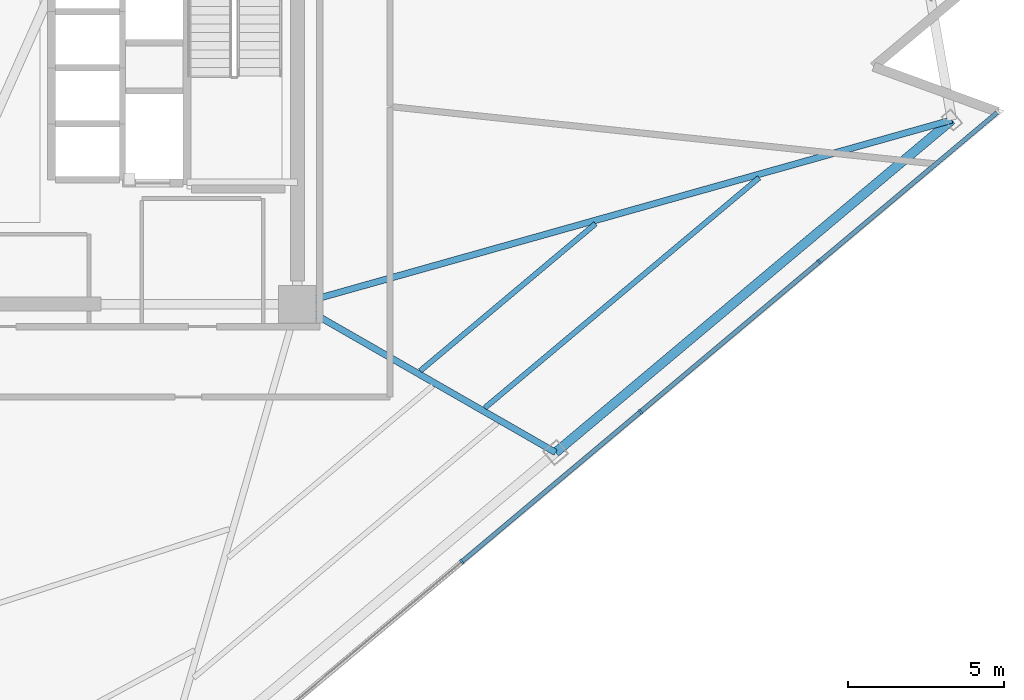
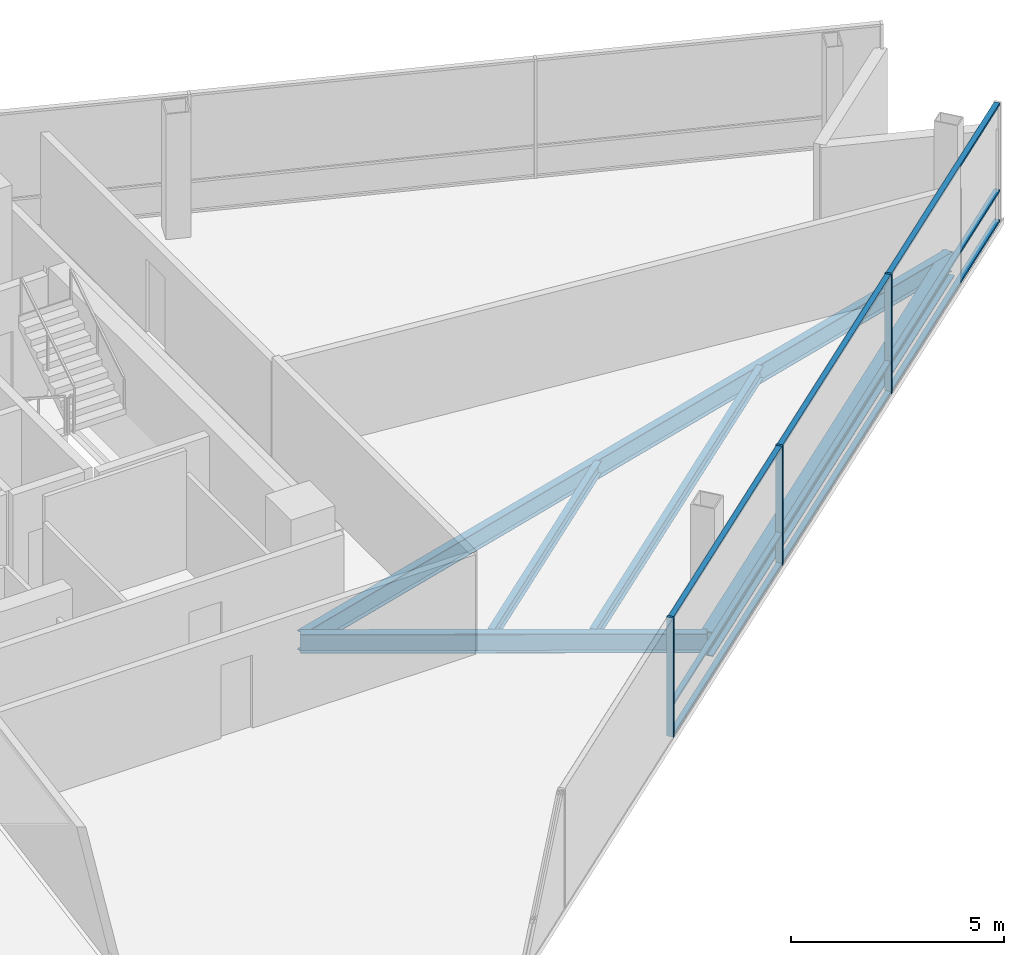
# One storey, part 4 of 17: 12 members, 5 beams, 1 element without a shape of its own.
"""IFC4 building model written with IfcOpenShell, lengths in metres."""

from ifc_helpers import new_model, si_unit, direction, frame, origin, origin_2d, place, context, subcontext, project, spatial, rectangle, i_section, extrude, material, layer, layer_set, material_profile, profile_set, type_object, element, aggregate, save


model = new_model("IFC4")

# Units and contexts
model_context = context("Model", 3, precision=1e-05, world=origin(), true_north=direction((0.0, 1.0)))
body_context = subcontext(model_context, "Body", "Model", "MODEL_VIEW")
ifc_project = project(units=[si_unit("LENGTHUNIT", "METRE"), si_unit("AREAUNIT", "SQUARE_METRE"), si_unit("VOLUMEUNIT", "CUBIC_METRE"), si_unit("PLANEANGLEUNIT", "RADIAN"), si_unit("MASSUNIT", "GRAM", prefix="KILO")], contexts=[model_context])

# Site, building, storey
site_placement = place(None, origin())
site = spatial("IfcSite", under=ifc_project, at=site_placement, CompositionType="ELEMENT")
building_placement = place(site_placement, origin())
building = spatial("IfcBuilding", under=site, at=building_placement, Name="Tharavind Bronze Gate", CompositionType="ELEMENT")
storey_placement = place(building_placement, frame((0.0, 0.0, 184.89990234375)))
storey = spatial("IfcBuildingStorey", under=building, at=storey_placement, Name="L47", CompositionType="ELEMENT", Elevation=184.89990234375)

# Curtain wall, members
ifc_material_1 = material(Name="Anodised Bronze Aluminium", Category="aluminium")
ifc_layer = layer(ifc_material_1, 0.219970703125)
ifc_layer_set = layer_set([ifc_layer], Name="Anodised Bronze Aluminium")
curtain_wall_type = type_object("IfcCurtainWallType", Name="UNITISED CURTAIN WALL MID OFFICE", PredefinedType="USERDEFINED", material=ifc_layer_set)
curtain_wall_placement = place(storey_placement, origin())
curtain_wall = element("IfcCurtainWall", 1, at=curtain_wall_placement, inside=storey, type_object=curtain_wall_type, Name="L47 unitised curtain wall mid office CW-L47-S2", ObjectType="UNITISED CURTAIN WALL", PredefinedType="USERDEFINED")
member_type_1 = type_object("IfcMemberType", Name="CURTAIN WALL BRONZE MULLION 65X180", PredefinedType="MULLION", material=ifc_material_1)
member_1_placement = place(storey_placement, frame((14.18408203125, -15.873291015625, 0.000244140625), z_axis=(0.0, 0.0, 1.0), x_axis=(0.766043321242, 0.642788946685, 0.0)))
member_1 = element("IfcMember", 2, at=member_1_placement, type_object=member_type_1, Name="CW-L47-S2 mullion 5", PredefinedType="MULLION", context=body_context, shape_type="SweptSolid", body=[
    extrude(rectangle(XDim=0.06494140625, YDim=0.179931640625, at=origin_2d()), origin(), (0.0, 0.0, 1.0), 3.419921875),
])
member_2_placement = place(storey_placement, frame((19.926513671875, -11.0546875, 0.000244140625), z_axis=(0.0, 0.0, 1.0), x_axis=(0.766043321242, 0.642788946685, 0.0)))
member_2 = element("IfcMember", 3, at=member_2_placement, type_object=member_type_1, Name="CW-L47-S2 mullion 6", PredefinedType="MULLION", context=body_context, shape_type="SweptSolid", body=[
    extrude(rectangle(XDim=0.06494140625, YDim=0.179931640625, at=origin_2d()), origin(), (0.0, 0.0, 1.0), 3.419921875),
])
member_3_placement = place(storey_placement, frame((25.668701171875, -6.236572265625, 0.000244140625), z_axis=(0.0, 0.0, 1.0), x_axis=(0.766043321242, 0.642788946685, 0.0)))
member_3 = element("IfcMember", 4, at=member_3_placement, type_object=member_type_1, Name="CW-L47-S2 mullion 7", PredefinedType="MULLION", context=body_context, shape_type="SweptSolid", body=[
    extrude(rectangle(XDim=0.06494140625, YDim=0.179931640625, at=origin_2d()), origin(), (0.0, 0.0, 1.0), 3.419921875),
])
member_type_2 = type_object("IfcMemberType", Name="CURTAIN WALL BRONZE TRANSOM 65X140", PredefinedType="USERDEFINED", material=ifc_material_1)
member_4_placement = place(storey_placement, frame((17.055419921875, -13.464111328125, 0.000244140625), z_axis=(0.0, 0.0, 1.0), x_axis=(0.766043321242, 0.642788946685, 0.0)))
member_4 = element("IfcMember", 5, at=member_4_placement, type_object=member_type_2, Name="CW-L47-S2 transom TB5", ObjectType="TRANSOM", PredefinedType="USERDEFINED", context=body_context, shape_type="SweptSolid", body=[
    extrude(rectangle(XDim=7.443115234375, YDim=0.139892578125, at=origin_2d()), origin(), (0.0, 0.0, 1.0), 0.06494140625),
])
member_5_placement = place(storey_placement, frame((17.055419921875, -13.464111328125, 0.86767578125), z_axis=(0.0, 0.0, 1.0), x_axis=(0.766043321242, 0.642788946685, 0.0)))
member_5 = element("IfcMember", 6, at=member_5_placement, type_object=member_type_2, Name="CW-L47-S2 transom TS5", ObjectType="TRANSOM", PredefinedType="USERDEFINED", context=body_context, shape_type="SweptSolid", body=[
    extrude(rectangle(XDim=7.443115234375, YDim=0.139892578125, at=origin_2d()), origin(), (0.0, 0.0, 1.0), 0.06494140625),
])
member_6_placement = place(storey_placement, frame((17.055419921875, -13.464111328125, 3.355224609375), z_axis=(0.0, 0.0, 1.0), x_axis=(0.766043321242, 0.642788946685, 0.0)))
member_6 = element("IfcMember", 7, at=member_6_placement, type_object=member_type_2, Name="CW-L47-S2 transom TT5", ObjectType="TRANSOM", PredefinedType="USERDEFINED", context=body_context, shape_type="SweptSolid", body=[
    extrude(rectangle(XDim=7.443115234375, YDim=0.139892578125, at=origin_2d()), origin(), (0.0, 0.0, 1.0), 0.06494140625),
])
member_7_placement = place(storey_placement, frame((22.797607421875, -8.645751953125, 0.000244140625), z_axis=(0.0, 0.0, 1.0), x_axis=(0.766043321242, 0.642788946685, 0.0)))
member_7 = element("IfcMember", 8, at=member_7_placement, type_object=member_type_2, Name="CW-L47-S2 transom TB6", ObjectType="TRANSOM", PredefinedType="USERDEFINED", context=body_context, shape_type="SweptSolid", body=[
    extrude(rectangle(XDim=7.443115234375, YDim=0.139892578125, at=origin_2d()), origin(), (0.0, 0.0, 1.0), 0.06494140625),
])
member_8_placement = place(storey_placement, frame((22.797607421875, -8.645751953125, 0.86767578125), z_axis=(0.0, 0.0, 1.0), x_axis=(0.766043321242, 0.642788946685, 0.0)))
member_8 = element("IfcMember", 9, at=member_8_placement, type_object=member_type_2, Name="CW-L47-S2 transom TS6", ObjectType="TRANSOM", PredefinedType="USERDEFINED", context=body_context, shape_type="SweptSolid", body=[
    extrude(rectangle(XDim=7.443115234375, YDim=0.139892578125, at=origin_2d()), origin(), (0.0, 0.0, 1.0), 0.06494140625),
])
member_9_placement = place(storey_placement, frame((22.797607421875, -8.645751953125, 3.355224609375), z_axis=(0.0, 0.0, 1.0), x_axis=(0.766043321242, 0.642788946685, 0.0)))
member_9 = element("IfcMember", 10, at=member_9_placement, type_object=member_type_2, Name="CW-L47-S2 transom TT6", ObjectType="TRANSOM", PredefinedType="USERDEFINED", context=body_context, shape_type="SweptSolid", body=[
    extrude(rectangle(XDim=7.443115234375, YDim=0.139892578125, at=origin_2d()), origin(), (0.0, 0.0, 1.0), 0.06494140625),
])
member_10_placement = place(storey_placement, frame((28.539794921875, -3.827392578125, 0.000244140625), z_axis=(0.0, 0.0, 1.0), x_axis=(0.766043321242, 0.642788946685, 0.0)))
member_10 = element("IfcMember", 11, at=member_10_placement, type_object=member_type_2, Name="CW-L47-S2 transom TB7", ObjectType="TRANSOM", PredefinedType="USERDEFINED", context=body_context, shape_type="SweptSolid", body=[
    extrude(rectangle(XDim=7.443115234375, YDim=0.139892578125, at=origin_2d()), origin(), (0.0, 0.0, 1.0), 0.06494140625),
])
member_11_placement = place(storey_placement, frame((28.539794921875, -3.827392578125, 0.86767578125), z_axis=(0.0, 0.0, 1.0), x_axis=(0.766043321242, 0.642788946685, 0.0)))
member_11 = element("IfcMember", 12, at=member_11_placement, type_object=member_type_2, Name="CW-L47-S2 transom TS7", ObjectType="TRANSOM", PredefinedType="USERDEFINED", context=body_context, shape_type="SweptSolid", body=[
    extrude(rectangle(XDim=7.443115234375, YDim=0.139892578125, at=origin_2d()), origin(), (0.0, 0.0, 1.0), 0.06494140625),
])
member_12_placement = place(storey_placement, frame((28.539794921875, -3.827392578125, 3.355224609375), z_axis=(0.0, 0.0, 1.0), x_axis=(0.766043321242, 0.642788946685, 0.0)))
member_12 = element("IfcMember", 13, at=member_12_placement, type_object=member_type_2, Name="CW-L47-S2 transom TT7", ObjectType="TRANSOM", PredefinedType="USERDEFINED", context=body_context, shape_type="SweptSolid", body=[
    extrude(rectangle(XDim=7.443115234375, YDim=0.139892578125, at=origin_2d()), origin(), (0.0, 0.0, 1.0), 0.06494140625),
])
aggregate(curtain_wall, [member_1, member_2, member_3, member_4, member_5, member_6, member_7, member_8, member_9, member_10, member_11, member_12])

# Beams
ifc_material_2 = material(Name="Steel S355", Category="steel")
ifc_material_profile_1 = material_profile(ifc_material_2, i_section(OverallWidth=0.2099609375, OverallDepth=0.550048828125, WebThickness=0.010986328125, FlangeThickness=0.01708984375, at=origin_2d()), Name="IPE550")
ifc_profile_set_1 = profile_set([ifc_material_profile_1], Name="Steel S355")
beam_type_1 = type_object("IfcBeamType", Name="PRIMARY GIRDER IPE550", PredefinedType="USERDEFINED", material=ifc_profile_set_1)
beam_1_placement = place(storey_placement, frame((17.198486328125, -12.36474609375, -0.454833984375), z_axis=(-0.867223923142, 0.497918333796, 0.0), x_axis=(-0.497918333796, -0.867223923142, 0.0)))
element("IfcBeam", 14, at=beam_1_placement, inside=storey, type_object=beam_type_1, Name="L47 primary girder ipe550 BM-L47-RAD07", ObjectType="GIRDER", PredefinedType="USERDEFINED", context=body_context, shape_type="SweptSolid", body=[
    extrude(i_section(OverallWidth=0.2099609375, OverallDepth=0.550048828125, WebThickness=0.010986328125, FlangeThickness=0.01708984375, at=origin_2d()), origin(), (0.0, 0.0, 1.0), 9.569091796875),
])
beam_2_placement = place(storey_placement, frame((29.933837890625, -1.6787109375, -0.454833984375), z_axis=(-0.962584208387, -0.270982733332, 0.0), x_axis=(0.270982733332, -0.962584208387, 0.0)))
element("IfcBeam", 15, at=beam_2_placement, inside=storey, type_object=beam_type_1, Name="L47 primary girder ipe550 BM-L47-RAD08", ObjectType="GIRDER", PredefinedType="USERDEFINED", context=body_context, shape_type="SweptSolid", body=[
    extrude(i_section(OverallWidth=0.2099609375, OverallDepth=0.550048828125, WebThickness=0.010986328125, FlangeThickness=0.01708984375, at=origin_2d()), origin(), (0.0, 0.0, 1.0), 21.8515625),
])
ifc_material_profile_2 = material_profile(ifc_material_2, i_section(OverallWidth=0.300048828125, OverallDepth=0.699951171875, WebThickness=0.01708984375, FlangeThickness=0.031982421875, at=origin_2d()), Name="HE700B")
ifc_profile_set_2 = profile_set([ifc_material_profile_2], Name="Steel S355")
beam_type_2 = type_object("IfcBeamType", Name="RING GIRDER HE700B", PredefinedType="USERDEFINED", material=ifc_profile_set_2)
beam_3_placement = place(storey_placement, frame((17.198486328125, -12.36474609375, -0.52978515625), z_axis=(0.766050178558, 0.642780774394, 0.0), x_axis=(-0.642780774394, 0.766050178558, 0.0)))
element("IfcBeam", 16, at=beam_3_placement, inside=storey, type_object=beam_type_2, Name="L47 ring girder he700b BM-L47-PRG07", ObjectType="GIRDER", PredefinedType="USERDEFINED", context=body_context, shape_type="SweptSolid", body=[
    extrude(i_section(OverallWidth=0.300048828125, OverallDepth=0.699951171875, WebThickness=0.01708984375, FlangeThickness=0.031982421875, at=origin_2d()), origin(), (0.0, 0.0, 1.0), 16.624755859375),
])
ifc_material_profile_3 = material_profile(ifc_material_2, i_section(OverallWidth=0.169921875, OverallDepth=0.360107421875, WebThickness=0.008056640625, FlangeThickness=0.0126953125, at=origin_2d()), Name="IPE360")
ifc_profile_set_3 = profile_set([ifc_material_profile_3], Name="Steel S355")
beam_type_3 = type_object("IfcBeamType", Name="SECONDARY FLOOR JOIST IPE360", PredefinedType="JOIST", material=ifc_profile_set_3)
beam_4_placement = place(storey_placement, frame((12.84765625, -9.7412109375, -0.35986328125), z_axis=(0.76602387, 0.642812126979, 0.0), x_axis=(-0.642812126979, 0.76602387, 0.0)))
element("IfcBeam", 17, at=beam_4_placement, inside=storey, type_object=beam_type_3, Name="L47 secondary floor joist ipe360 BM-L47-JSTA07", PredefinedType="JOIST", context=body_context, shape_type="SweptSolid", body=[
    extrude(i_section(OverallWidth=0.169921875, OverallDepth=0.360107421875, WebThickness=0.008056640625, FlangeThickness=0.0126953125, at=origin_2d()), origin(), (0.0, 0.0, 1.0), 7.355224609375),
])
beam_5_placement = place(storey_placement, frame((14.922119140625, -10.932373046875, -0.35986328125), z_axis=(0.766047353374, 0.642784141364, 0.0), x_axis=(-0.642784141364, 0.766047353374, 0.0)))
element("IfcBeam", 18, at=beam_5_placement, inside=storey, type_object=beam_type_3, Name="L47 secondary floor joist ipe360 BM-L47-JSTB07", PredefinedType="JOIST", context=body_context, shape_type="SweptSolid", body=[
    extrude(i_section(OverallWidth=0.169921875, OverallDepth=0.360107421875, WebThickness=0.008056640625, FlangeThickness=0.0126953125, at=origin_2d()), origin(), (0.0, 0.0, 1.0), 11.511474609375),
])

save(model, "model.ifc")
